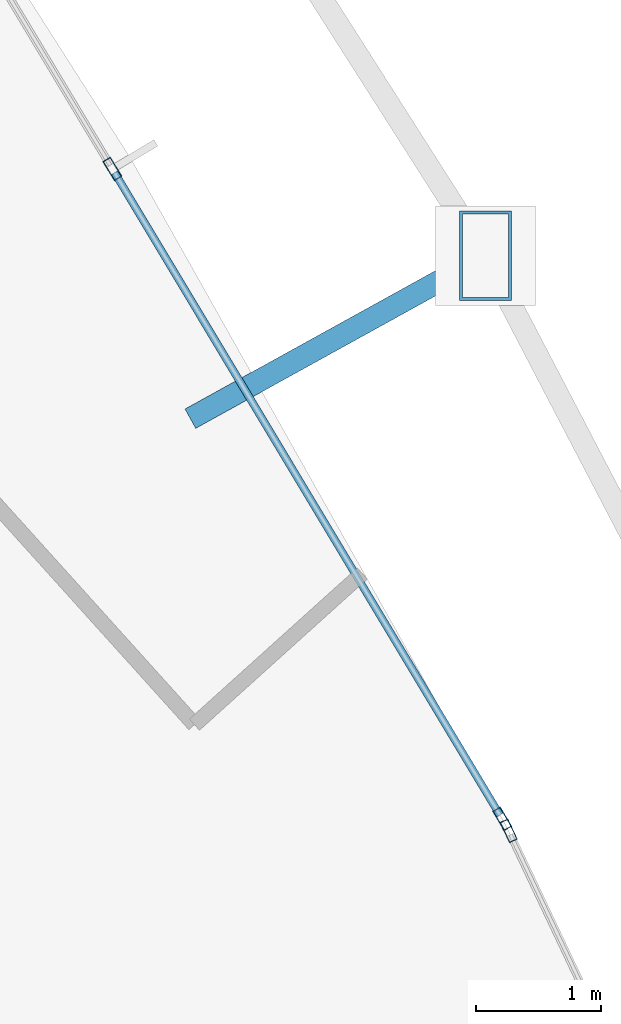
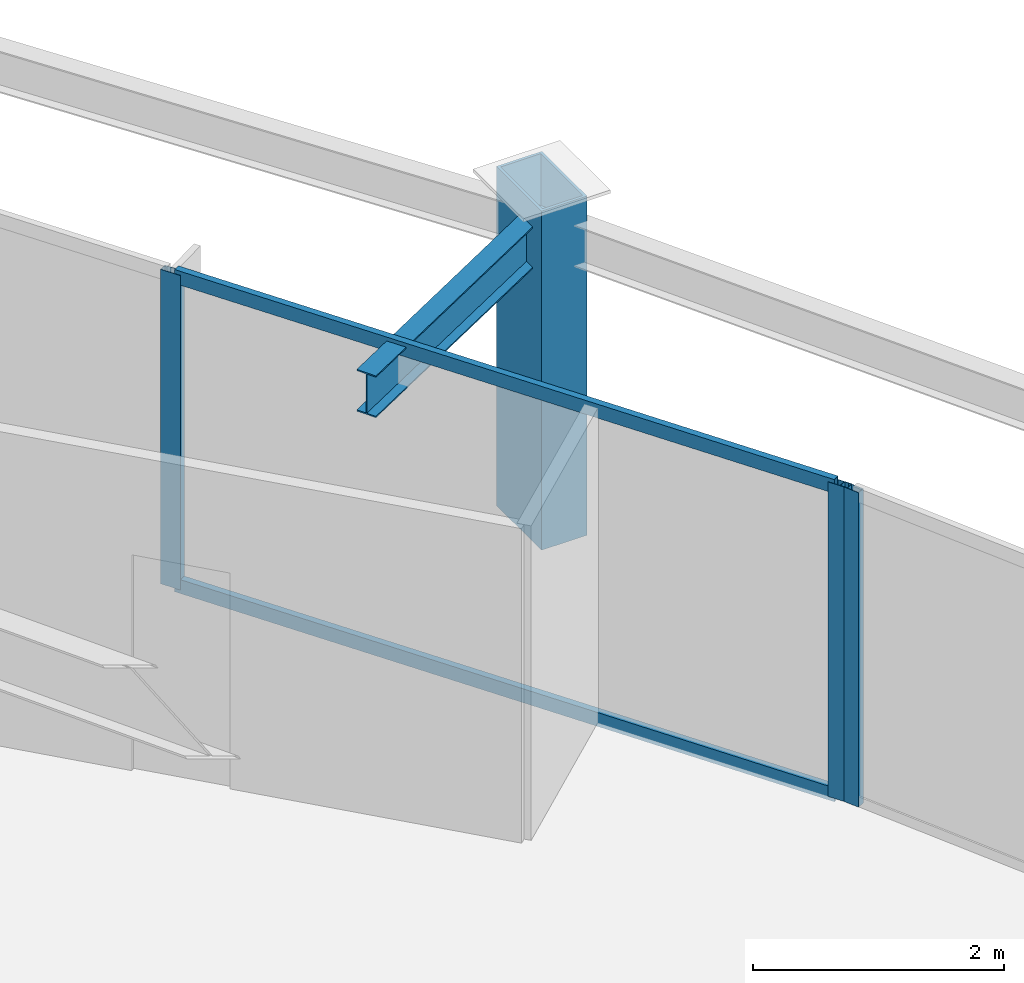
# One storey, part 18 of 34: 6 members, 1 beam, 2 elements without a shape of their own.
"""IFC4 building model written with IfcOpenShell, lengths in metres."""

from ifc_helpers import new_model, si_unit, direction, frame, origin, origin_2d, place, context, subcontext, project, spatial, hollow_rectangle, i_section, extrude, material, layer, layer_set, material_profile, profile_set, type_object, element, aggregate, save


model = new_model("IFC4")

# Units and contexts
model_context = context("Model", 3, precision=1e-05, world=origin(), true_north=direction((0.0, 1.0)))
body_context = subcontext(model_context, "Body", "Model", "MODEL_VIEW")
ifc_project = project(units=[si_unit("LENGTHUNIT", "METRE"), si_unit("AREAUNIT", "SQUARE_METRE"), si_unit("VOLUMEUNIT", "CUBIC_METRE"), si_unit("PLANEANGLEUNIT", "RADIAN"), si_unit("MASSUNIT", "GRAM", prefix="KILO")], contexts=[model_context])

# Site, building, storey
site_placement = place(None, origin())
site = spatial("IfcSite", under=ifc_project, at=site_placement, CompositionType="ELEMENT")
building_placement = place(site_placement, origin())
building = spatial("IfcBuilding", under=site, at=building_placement, Name="Orvanel Arch Residences", CompositionType="ELEMENT")
storey_placement = place(building_placement, frame((0.0, 0.0, 80.75)))
storey = spatial("IfcBuildingStorey", under=building, at=storey_placement, Name="L22", CompositionType="ELEMENT", Elevation=80.75)

# Member
ifc_material_1 = material(Name="Structural steel AS/NZS 3678 Grade 350", Category="steel")
ifc_material_profile_1 = material_profile(ifc_material_1, hollow_rectangle(XDim=0.419921875, YDim=0.719970703125, WallThickness=0.02490234375, at=origin_2d()), Name="RHS720x420x25")
ifc_profile_set_1 = profile_set([ifc_material_profile_1], Name="Structural steel AS/NZS 3678 Grade 350")
member_type_1 = type_object("IfcMemberType", Name="CH-720RHS-EXT", PredefinedType="CHORD", material=ifc_profile_set_1)
member_1_placement = place(storey_placement, frame((52.6279296875, 29.324951171875, 0.0), z_axis=(0.0, 0.0, 1.0), x_axis=(1.0, 0.0, 0.0)))
element("IfcMember", 1, at=member_1_placement, inside=storey, type_object=member_type_1, Name="L22 Outer Perimeter Frame Post 10", PredefinedType="CHORD", context=body_context, shape_type="SweptSolid", body=[
    extrude(hollow_rectangle(XDim=0.419921875, YDim=0.719970703125, WallThickness=0.02490234375, at=origin_2d()), origin(), (0.0, 0.0, 1.0), 3.300048828125),
])

# Curtain wall, member
ifc_material_2 = material(Name="Bronze-anodised aluminium AA6063-T6", Category="aluminium")
ifc_layer = layer(ifc_material_2, 0.179931640625)
ifc_layer_set = layer_set([ifc_layer], Name="Bronze-anodised aluminium AA6063-T6")
curtain_wall_type = type_object("IfcCurtainWallType", Name="CW2-LOW-SYS", PredefinedType="NOTDEFINED", material=ifc_layer_set)
curtain_wall_1_placement = place(storey_placement, origin())
curtain_wall_1 = element("IfcCurtainWall", 2, at=curtain_wall_1_placement, inside=storey, type_object=curtain_wall_type, Name="L22 CW2-LOW-SYS Unitised Curtain Wall", PredefinedType="NOTDEFINED")
ifc_material_profile_2 = material_profile(ifc_material_2, hollow_rectangle(XDim=0.070068359375, YDim=0.179931640625, WallThickness=0.00439453125, at=origin_2d()), Name="ALU180x70x4.5")
ifc_profile_set_2 = profile_set([ifc_material_profile_2], Name="Bronze-anodised aluminium AA6063-T6")
member_type_2 = type_object("IfcMemberType", Name="MUL-180x70", PredefinedType="MULLION", material=ifc_profile_set_2)
member_2_placement = place(storey_placement, frame((52.81396484375, 24.706298828125, 0.0), z_axis=(0.0, 0.0, 1.0), x_axis=(-0.903971140213, -0.427593472426, 0.0)))
member_2 = element("IfcMember", 3, at=member_2_placement, type_object=member_type_2, Name="CW-S2 mullion 3", PredefinedType="MULLION", context=body_context, shape_type="SweptSolid", body=[
    extrude(hollow_rectangle(XDim=0.070068359375, YDim=0.179931640625, WallThickness=0.00439453125, at=origin_2d()), origin(), (0.0, 0.0, 1.0), 3.06005859375),
])
aggregate(curtain_wall_1, [member_2])

# Curtain wall, members
curtain_wall_2_placement = place(storey_placement, origin())
curtain_wall_2 = element("IfcCurtainWall", 4, at=curtain_wall_2_placement, inside=storey, type_object=curtain_wall_type, Name="L22 CW2-LOW-SYS Unitised Curtain Wall", PredefinedType="NOTDEFINED")
member_3_placement = place(storey_placement, frame((52.761962890625, 24.802978515625, 0.0), z_axis=(0.0, 0.0, 1.0), x_axis=(-0.85755059276, -0.514399631471, 0.0)))
member_3 = element("IfcMember", 5, at=member_3_placement, type_object=member_type_2, Name="CW-S2 mullion 1", PredefinedType="MULLION", context=body_context, shape_type="SweptSolid", body=[
    extrude(hollow_rectangle(XDim=0.070068359375, YDim=0.179931640625, WallThickness=0.00439453125, at=origin_2d()), origin(), (0.0, 0.0, 1.0), 3.06005859375),
])
member_4_placement = place(storey_placement, frame((49.632080078125, 30.02099609375, 0.0), z_axis=(0.0, 0.0, 1.0), x_axis=(-0.85755059276, -0.514399631471, 0.0)))
member_4 = element("IfcMember", 6, at=member_4_placement, type_object=member_type_2, Name="CW-S2 mullion 2", PredefinedType="MULLION", context=body_context, shape_type="SweptSolid", body=[
    extrude(hollow_rectangle(XDim=0.070068359375, YDim=0.179931640625, WallThickness=0.00439453125, at=origin_2d()), origin(), (0.0, 0.0, 1.0), 3.06005859375),
])

# Beam
ifc_material_3 = material(Name="Structural steel AS/NZS 3679.1 Grade 300 (300 MPa)", Category="steel")
ifc_material_profile_3 = material_profile(ifc_material_3, i_section(OverallWidth=0.177978515625, OverallDepth=0.406005859375, WebThickness=0.0078125, FlangeThickness=0.0126953125, at=origin_2d()), Name="410UB59.7")
ifc_profile_set_3 = profile_set([ifc_material_profile_3], Name="Structural steel AS/NZS 3679.1 Grade 300 (300 MPa)")
beam_type = type_object("IfcBeamType", Name="OB-410UB-EXT", PredefinedType="SPANDREL", material=ifc_profile_set_3)
beam_placement = place(storey_placement, frame((50.258056640625, 28.01611328125, 2.85693359375), z_axis=(0.875371103969, 0.483451580136, 0.0), x_axis=(-0.483451580136, 0.875371103969, 0.0)))
element("IfcBeam", 7, at=beam_placement, inside=storey, type_object=beam_type, Name="L22 Outer Frame Radial Tie Beam 10", PredefinedType="SPANDREL", context=body_context, shape_type="SweptSolid", body=[
    extrude(i_section(OverallWidth=0.177978515625, OverallDepth=0.406005859375, WebThickness=0.0078125, FlangeThickness=0.0126953125, at=origin_2d()), origin(), (0.0, 0.0, 1.0), 2.707275390625),
])

# Member
ifc_material_profile_4 = material_profile(ifc_material_2, hollow_rectangle(XDim=0.06005859375, YDim=0.135009765625, WallThickness=0.00390625, at=origin_2d()), Name="ALU135x60x4")
ifc_profile_set_4 = profile_set([ifc_material_profile_4], Name="Bronze-anodised aluminium AA6063-T6")
member_type_3 = type_object("IfcMemberType", Name="TRN-135x60", PredefinedType="USERDEFINED", material=ifc_profile_set_4)
member_5_placement = place(storey_placement, frame((52.743896484375, 24.8330078125, 0.030029296875), z_axis=(-0.514400245764, 0.857550224277, 0.0), x_axis=(-0.857550224277, -0.514400245764, 0.0)))
member_5 = element("IfcMember", 8, at=member_5_placement, type_object=member_type_3, Name="CW-S2 transom 1.1", ObjectType="TRANSOM", PredefinedType="USERDEFINED", context=body_context, shape_type="SweptSolid", body=[
    extrude(hollow_rectangle(XDim=0.06005859375, YDim=0.135009765625, WallThickness=0.00390625, at=origin_2d()), origin(), (0.0, 0.0, 1.0), 6.0146484375),
])

member_6_placement = place(storey_placement, frame((52.743896484375, 24.8330078125, 3.030029296875), z_axis=(-0.514400245764, 0.857550224277, 0.0), x_axis=(-0.857550224277, -0.514400245764, 0.0)))
member_6 = element("IfcMember", 9, at=member_6_placement, type_object=member_type_3, Name="CW-S2 transom 1.2", ObjectType="TRANSOM", PredefinedType="USERDEFINED", context=body_context, shape_type="SweptSolid", body=[
    extrude(hollow_rectangle(XDim=0.06005859375, YDim=0.135009765625, WallThickness=0.00390625, at=origin_2d()), origin(), (0.0, 0.0, 1.0), 6.0146484375),
])

aggregate(curtain_wall_2, [member_3, member_4, member_5, member_6])

save(model, "model.ifc")
